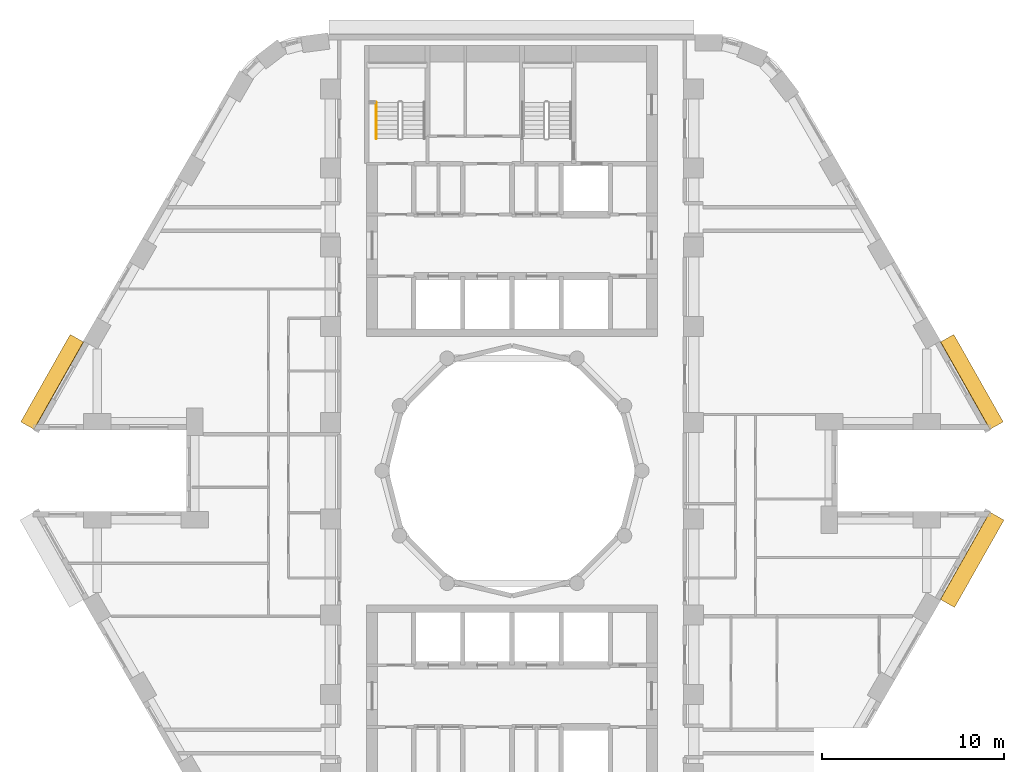
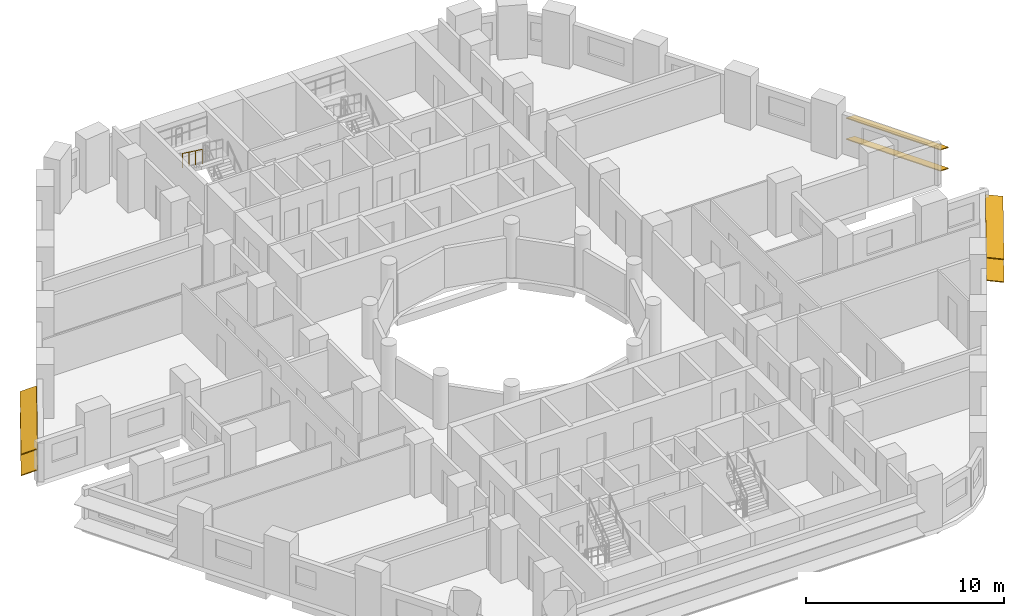
# One storey, part 11 of 12: 6 shading devices, 1 railing.
"""IFC4 building model written with IfcOpenShell, lengths in metres."""

from ifc_helpers import new_model, si_unit, direction, frame, origin, origin_2d, place, context, subcontext, project, spatial, rectangle, circle, extrude, material, material_profile, profile_set, type_object, element, save


model = new_model("IFC4")

# Units and contexts
model_context = context("Model", 3, precision=1e-05, world=origin(), true_north=direction((0.0, 1.0)))
body_context = subcontext(model_context, "Body", "Model", "MODEL_VIEW")
ifc_project = project(units=[si_unit("LENGTHUNIT", "METRE"), si_unit("AREAUNIT", "SQUARE_METRE"), si_unit("VOLUMEUNIT", "CUBIC_METRE"), si_unit("PLANEANGLEUNIT", "RADIAN"), si_unit("MASSUNIT", "GRAM", prefix="KILO")], contexts=[model_context])

# Site, building, storey
site_placement = place(None, origin())
site = spatial("IfcSite", under=ifc_project, at=site_placement, CompositionType="ELEMENT")
building_placement = place(site_placement, origin())
building = spatial("IfcBuilding", under=site, at=building_placement, Name="Nakaniwa Court", CompositionType="ELEMENT")
storey_placement = place(building_placement, frame((0.0, 0.0, 54.60009765625)))
storey = spatial("IfcBuildingStorey", under=building, at=storey_placement, Name="L14", CompositionType="ELEMENT", Elevation=54.60009765625)

# Shading devices
ifc_material_1 = material(Name="Perforated charcoal ceramic louvre blade")
ifc_material_profile = material_profile(ifc_material_1, rectangle(XDim=0.89990234375, YDim=0.050048828125, at=origin_2d()), Name="Perforated ceramic louvre blade")
ifc_profile_set = profile_set([ifc_material_profile], Name="Perforated charcoal ceramic louvre blade")
shading_device_type = type_object("IfcShadingDeviceType", Name="Perforated ceramic louvre blade", PredefinedType="JALOUSIE", material=ifc_profile_set)
for number, where, z_axis, x_axis, name in (
    (1, (106.662353515625, 82.480224609375, 0.5498046875), (-0.492342539441, 0.870401530247, 0.0), (-0.80472628244, -0.455193342019, 0.38107037635), "L14 perforated ceramic louvre blade w02 1"),
    (2, (106.662353515625, 82.480224609375, 1.84521484375), (-0.492342539441, 0.870401530247, 0.0), (-0.80472628244, -0.455193342019, 0.38107037635), "L14 perforated ceramic louvre blade w02 2"),
    (3, (56.05859375, 87.29052734375, 0.5498046875), (-0.492342539441, -0.870401530247, 0.0), (0.80472628244, -0.455193342019, 0.38107037635), "L14 perforated ceramic louvre blade w14 1"),
    (4, (56.05859375, 87.29052734375, 1.84521484375), (-0.492342539441, -0.870401530247, 0.0), (0.80472628244, -0.455193342019, 0.38107037635), "L14 perforated ceramic louvre blade w14 2"),
    (5, (103.962158203125, 72.69775390625, 0.5498046875), (0.492342539441, 0.870401530247, 0.0), (-0.86275552304, 0.488017576221, 0.132256390257), "L14 perforated ceramic louvre blade w32 1"),
    (6, (103.962158203125, 72.69775390625, 1.95556640625), (0.492342539441, 0.870401530247, 0.0), (-0.86275552304, 0.488017576221, 0.132256390257), "L14 perforated ceramic louvre blade w32 2"),
):
    element("IfcShadingDevice", number, at=place(storey_placement, frame(where, z_axis=z_axis, x_axis=x_axis)), inside=storey, type_object=shading_device_type, Name=name, PredefinedType="JALOUSIE", context=body_context, shape_type="SweptSolid", body=[
        extrude(rectangle(XDim=0.89990234375, YDim=0.050048828125, at=origin_2d()), origin(), (0.0, 0.0, 1.0), 5.526611328125),
    ])

# Railing
ifc_material_2 = material(Name="Black powder coated steel handrail", Category="steel")
railing_type = type_object("IfcRailingType", Name="Stair handrail 900", PredefinedType="HANDRAIL", material=ifc_material_2)
railing_placement = place(storey_placement, frame((72.52490234375, 100.27490234375, 1.833251953125)))
element("IfcRailing", 7, at=railing_placement, inside=storey, type_object=railing_type, Name="L14 ST1 stair handrail 2", PredefinedType="HANDRAIL", context=body_context, shape_type="SweptSolid", body=[
    extrude(circle(Radius=0.02392578125, at=origin_2d()), frame((0.0, 0.0, 0.8759765625), z_axis=(0.0, -0.806426902644, 0.591333789573), x_axis=(1.0, 0.0, 0.0)), (0.0, 0.0, 1.0), 2.47998046875),
    extrude(circle(Radius=0.02099609375, at=origin_2d()), origin(), (0.0, 0.0, 1.0), 0.851806640625),
    extrude(circle(Radius=0.02099609375, at=origin_2d()), frame((0.0, -0.666748046875, 0.48876953125)), (0.0, 0.0, 1.0), 0.851806640625),
    extrude(circle(Radius=0.02099609375, at=origin_2d()), frame((0.0, -1.333251953125, 0.977783203125)), (0.0, 0.0, 1.0), 0.851806640625),
    extrude(circle(Radius=0.02099609375, at=origin_2d()), frame((0.0, -2.0, 1.466552734375)), (0.0, 0.0, 1.0), 0.851806640625),
])

save(model, "model.ifc")
